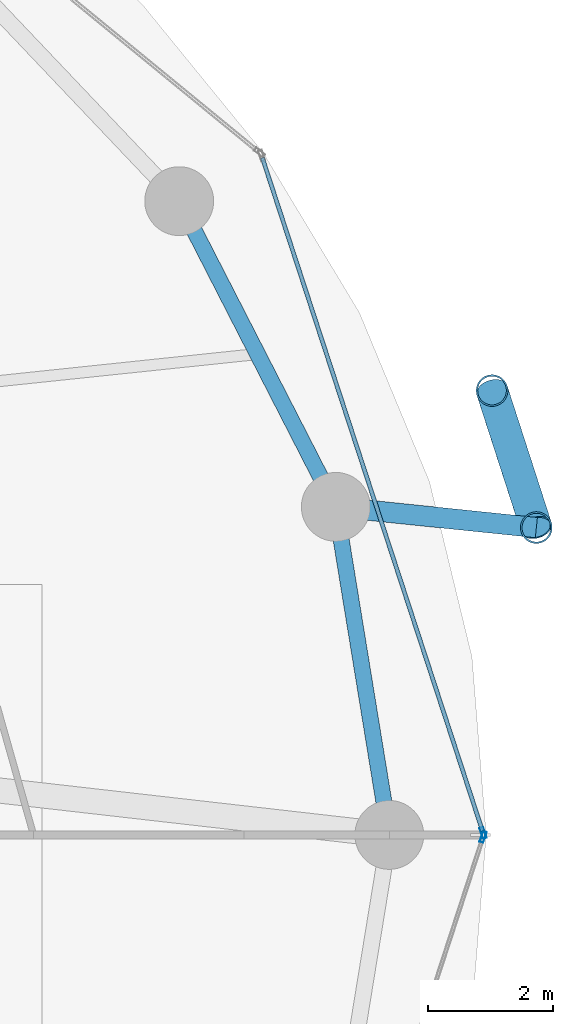
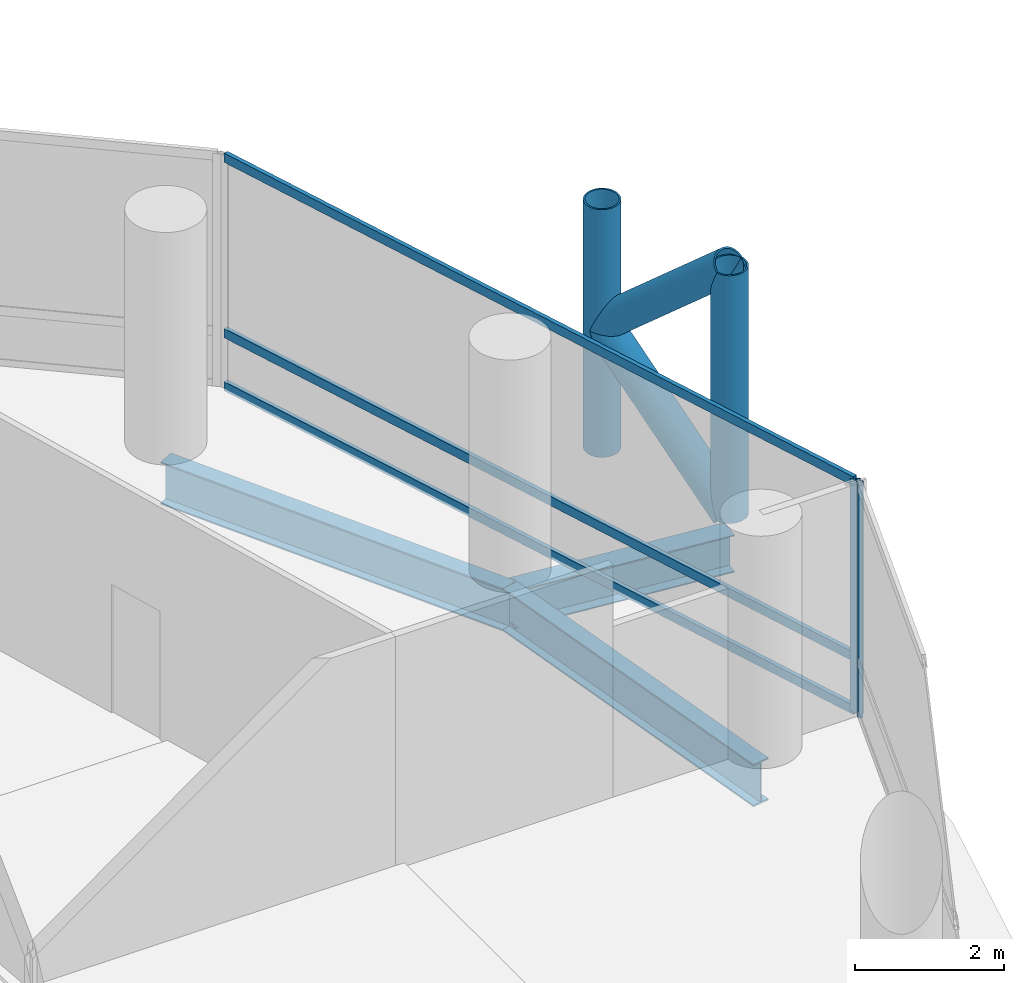
# One storey, part 12 of 26: 9 members, 3 beams, 2 elements without a shape of their own.
"""IFC4 building model written with IfcOpenShell, lengths in metres."""

import ifcopenshell
import ifcopenshell.guid

model = None  # the IFC model being written
_history = None  # IfcOwnerHistory: only IFC2X3 demands one
_inside = {}  # id of a spatial element -> (the spatial element, [elements in it])
_under = {}  # id of a project, library or spatial element -> (it, [spatial elements below it])
_declared = {}  # id of a project -> (the project, [libraries it declares])
_typed = {}  # id of a type object -> (the type object, [elements of that type])
_made_of = {}  # id of a material, layer set ... -> (it, [elements and type objects made of it])


def new_model(schema):
    """Start an empty IFC model of exactly this schema.

    Asked for "IFC4X3", IfcOpenShell would pick the latest addendum, in which some entities
    have other attributes; the version numbers below select the first issue.
    IFC2X3 requires an IfcOwnerHistory on every rooted entity: one is made here for all.
    """
    global model, _history
    if schema == "IFC4X3":
        model = ifcopenshell.file(schema_version=(4, 3, 0, 0))
    else:
        model = ifcopenshell.file(schema=schema)
    _inside.clear()
    _under.clear()
    _declared.clear()
    _typed.clear()
    _made_of.clear()
    _history = None
    if model.schema == "IFC2X3":
        org = make("IfcOrganization", Name="unknown")
        user = make(
            "IfcPersonAndOrganization",
            ThePerson=make("IfcPerson", FamilyName="unknown"),
            TheOrganization=org,
        )
        app = make(
            "IfcApplication",
            ApplicationDeveloper=org,
            Version="unknown",
            ApplicationFullName="unknown",
            ApplicationIdentifier="unknown",
        )
        _history = make(
            "IfcOwnerHistory",
            OwningUser=user,
            OwningApplication=app,
            ChangeAction="ADDED",
            CreationDate=0,
        )
    return model


def make(cls, **values):
    """One entity of the class cls with the attributes given. An attribute that is None is left unset."""
    return model.create_entity(
        cls, **{name: value for name, value in values.items() if value is not None}
    )


def rooted(cls, **values):
    """An entity with a GlobalId (a new one), such as an element, a storey or a relation."""
    return make(cls, GlobalId=ifcopenshell.guid.new(), OwnerHistory=_history, **values)


def si_unit(unit_type, name, prefix=None):
    """IfcSIUnit, for example si_unit("LENGTHUNIT", "METRE", prefix="MILLI")."""
    return make("IfcSIUnit", UnitType=unit_type, Prefix=prefix, Name=name)


def assignment(units):
    """IfcUnitAssignment: the units of a project."""
    return None if units is None else make("IfcUnitAssignment", Units=units)


def point(xyz):
    """IfcCartesianPoint."""
    return None if xyz is None else make("IfcCartesianPoint", Coordinates=xyz)


def direction(xyz):
    """IfcDirection."""
    return None if xyz is None else make("IfcDirection", DirectionRatios=xyz)


def frame(location, z_axis=None, x_axis=None):
    """IfcAxis2Placement3D, a coordinate frame: its origin and axes. An axis left out is left unset."""
    return make(
        "IfcAxis2Placement3D",
        Location=point(location),
        Axis=direction(z_axis),
        RefDirection=direction(x_axis),
    )


def frame_2d(location, x_axis=None):
    """IfcAxis2Placement2D, a coordinate frame in the plane: its origin and x axis."""
    return make(
        "IfcAxis2Placement2D", Location=point(location), RefDirection=direction(x_axis)
    )


def origin():
    """The frame at (0, 0, 0) with its axes left unset."""
    return frame((0.0, 0.0, 0.0))


def origin_2d():
    """The frame at (0, 0) in the plane with its x axis left unset."""
    return frame_2d((0.0, 0.0))


def place(relative_to, where):
    """IfcLocalPlacement: puts the frame where relative to a parent placement (None: the world)."""
    return make(
        "IfcLocalPlacement", PlacementRelTo=relative_to, RelativePlacement=where
    )


def context(
    kind, dimensions, precision=None, world=None, true_north=None, identifier=None
):
    """IfcGeometricRepresentationContext, for example the 3D "Model" context."""
    return make(
        "IfcGeometricRepresentationContext",
        ContextIdentifier=identifier,
        ContextType=kind,
        CoordinateSpaceDimension=dimensions,
        Precision=precision,
        WorldCoordinateSystem=world,
        TrueNorth=true_north,
    )


def subcontext(parent, identifier, kind, view, scale=None):
    """IfcGeometricRepresentationSubContext, for example "Body" below "Model"."""
    return make(
        "IfcGeometricRepresentationSubContext",
        ContextIdentifier=identifier,
        ContextType=kind,
        ParentContext=parent,
        TargetScale=scale,
        TargetView=view,
    )


def project(units=None, contexts=None):
    """IfcProject with its units and contexts."""
    return rooted(
        "IfcProject",
        Name="project",
        RepresentationContexts=contexts,
        UnitsInContext=assignment(units),
    )


def spatial(cls, under=None, at=None, **own):
    """A site, building, storey or space (cls), placed at a placement, below another one or the project."""
    s = rooted(cls, ObjectPlacement=at, **own)
    if under is not None:
        _under.setdefault(under.id(), (under, []))[1].append(s)
    return s


def profile(cls, at=None, kind="AREA", **sizes):
    """A parametric profile (cls). Its sizes go by their IFC names, for example OverallWidth=200.0."""
    return make(cls, ProfileType=kind, Position=at, **sizes)


def hollow_rectangle(**sizes):
    """IfcRectangleHollowProfileDef."""
    return profile("IfcRectangleHollowProfileDef", **sizes)


def hollow_circle(**sizes):
    """IfcCircleHollowProfileDef."""
    return profile("IfcCircleHollowProfileDef", **sizes)


def i_section(**sizes):
    """IfcIShapeProfileDef."""
    return profile("IfcIShapeProfileDef", **sizes)


def extrude(swept, where, along, depth):
    """IfcExtrudedAreaSolid: the profile swept, set in the frame where, extruded along a direction by depth."""
    return make(
        "IfcExtrudedAreaSolid",
        SweptArea=swept,
        Position=where,
        ExtrudedDirection=direction(along),
        Depth=depth,
    )


def shape(context_of_items, identifier, shape_type, items):
    """IfcShapeRepresentation: the items that make up one representation, for example the "Body"."""
    return make(
        "IfcShapeRepresentation",
        ContextOfItems=context_of_items,
        RepresentationIdentifier=identifier,
        RepresentationType=shape_type,
        Items=items,
    )


def material(Name=None, Category=None):
    """IfcMaterial."""
    return make("IfcMaterial", Name=Name, Category=Category)


def layer(
    of_material, thickness, ventilated=None, Name=None, Category=None, Priority=None
):
    """IfcMaterialLayer: one layer of a wall or slab, of a material (None: an air gap)."""
    return make(
        "IfcMaterialLayer",
        Material=of_material,
        LayerThickness=thickness,
        IsVentilated=ventilated,
        Name=Name,
        Category=Category,
        Priority=Priority,
    )


def layer_set(layers, Name=None):
    """IfcMaterialLayerSet."""
    return make("IfcMaterialLayerSet", MaterialLayers=layers, LayerSetName=Name)


def material_profile(
    of_material, cross_section, Name=None, Category=None, Priority=None
):
    """IfcMaterialProfile: a cross section and its material."""
    return make(
        "IfcMaterialProfile",
        Name=Name,
        Material=of_material,
        Profile=cross_section,
        Priority=Priority,
        Category=Category,
    )


def profile_set(profiles, Name=None, composite=None):
    """IfcMaterialProfileSet."""
    return make(
        "IfcMaterialProfileSet",
        Name=Name,
        MaterialProfiles=profiles,
        CompositeProfile=composite,
    )


def made_of(thing, what):
    """Note that an element or type object is made of a material, layer set ...; save() writes the relation."""
    if what is not None:
        _made_of.setdefault(what.id(), (what, []))[1].append(thing)
    return thing


def type_object(cls, material=None, **own):
    """A type object (cls), such as IfcWallType, which elements share."""
    return made_of(rooted(cls, **own), material)


def element(
    cls,
    number,
    at=None,
    inside=None,
    cuts=None,
    type_object=None,
    material=None,
    context=None,
    identifier="Body",
    shape_type=None,
    held_by="IfcProductDefinitionShape",
    body=None,
    shapes=None,
    **own,
):
    """One element of the class cls, such as IfcWall. Its Tag is "e" and its number.

    at: its placement. inside: the storey or other place that contains it. cuts: it is an
    opening in that element (IfcRelVoidsElement). A single representation is given by context,
    identifier, shape_type and body (its items); several are given by shapes. held_by: the class
    of the entity that holds the representations. save() writes the other relations.
    """
    e = rooted(cls, Tag="e%d" % number, ObjectPlacement=at, **own)
    if body is not None:
        shapes = [shape(context, identifier, shape_type, body)]
    if shapes is not None:
        e.Representation = make(held_by, Representations=shapes)
    if inside is not None:
        _inside.setdefault(inside.id(), (inside, []))[1].append(e)
    if cuts is not None:
        rooted(
            "IfcRelVoidsElement", RelatingBuildingElement=cuts, RelatedOpeningElement=e
        )
    if type_object is not None:
        _typed.setdefault(type_object.id(), (type_object, []))[1].append(e)
    return made_of(e, material)


def aggregate(whole, parts):
    """IfcRelAggregates: a whole, such as a stair, and the parts it consists of."""
    return rooted("IfcRelAggregates", RelatingObject=whole, RelatedObjects=parts)


def save(model, path):
    """Write the relations noted so far, then the file.

    IfcRelAggregates (storeys below a building ...), IfcRelContainedInSpatialStructure (elements
    in a storey), IfcRelDefinesByType, IfcRelAssociatesMaterial and IfcRelDeclares: one each for
    every whole, place, type object, material and project.
    """
    for whole, parts in _under.values():
        aggregate(whole, parts)
    for where, things in _inside.values():
        rooted(
            "IfcRelContainedInSpatialStructure",
            RelatedElements=things,
            RelatingStructure=where,
        )
    for kind, things in _typed.values():
        rooted("IfcRelDefinesByType", RelatedObjects=things, RelatingType=kind)
    for what, things in _made_of.values():
        rooted("IfcRelAssociatesMaterial", RelatedObjects=things, RelatingMaterial=what)
    for by, libraries in _declared.values():
        rooted("IfcRelDeclares", RelatingContext=by, RelatedDefinitions=libraries)
    model.write(path)


model = new_model("IFC4")

# Units and contexts
model_context = context("Model", 3, precision=1e-05, world=origin(), true_north=direction((0.0, 1.0)))
body_context = subcontext(model_context, "Body", "Model", "MODEL_VIEW")
ifc_project = project(units=[si_unit("LENGTHUNIT", "METRE"), si_unit("AREAUNIT", "SQUARE_METRE"), si_unit("VOLUMEUNIT", "CUBIC_METRE"), si_unit("PLANEANGLEUNIT", "RADIAN"), si_unit("MASSUNIT", "GRAM", prefix="KILO")], contexts=[model_context])

# Site, building, storey
site_placement = place(None, origin())
site = spatial("IfcSite", under=ifc_project, at=site_placement, CompositionType="ELEMENT")
building_placement = place(site_placement, origin())
building = spatial("IfcBuilding", under=site, at=building_placement, Name="Nuhasar Tower", CompositionType="ELEMENT")
storey_placement = place(building_placement, frame((0.0, 0.0, 53.39990234375)))
storey = spatial("IfcBuildingStorey", under=building, at=storey_placement, Name="L12", CompositionType="ELEMENT", Elevation=53.39990234375)

# Beams
ifc_material_1 = material(Name="Steel S355", Category="steel")
ifc_material_profile_1 = material_profile(ifc_material_1, i_section(OverallWidth=0.256103515625, OverallDepth=0.693115234375, WebThickness=0.014404296875, FlangeThickness=0.023681640625, at=origin_2d()), Name="W27X114")
ifc_profile_set_1 = profile_set([ifc_material_profile_1], Name="Steel S355")
beam_type_1 = type_object("IfcBeamType", Name="BM-RING-W27X114", PredefinedType="SPANDREL", material=ifc_profile_set_1)
beam_1_placement = place(storey_placement, frame((64.050048828125, 26.800048828125, -0.60595703125), z_axis=(-0.160826635486, 0.986982671235, 0.0), x_axis=(-0.986982671235, -0.160826635486, 0.0)))
element("IfcBeam", 1, at=beam_1_placement, inside=storey, type_object=beam_type_1, Name="L12 Perimeter Ring Spandrel 01", PredefinedType="SPANDREL", context=body_context, shape_type="SweptSolid", body=[
    extrude(i_section(OverallWidth=0.256103515625, OverallDepth=0.693115234375, WebThickness=0.014404296875, FlangeThickness=0.023681640625, at=origin_2d()), origin(), (0.0, 0.0, 1.0), 5.31005859375),
])
beam_2_placement = place(storey_placement, frame((63.196044921875, 32.041015625, -0.60595703125), z_axis=(-0.455930023905, 0.890015625314, 0.0), x_axis=(-0.890015625314, -0.455930023905, 0.0)))
element("IfcBeam", 2, at=beam_2_placement, inside=storey, type_object=beam_type_1, Name="L12 Perimeter Ring Spandrel 02", PredefinedType="SPANDREL", context=body_context, shape_type="SweptSolid", body=[
    extrude(i_section(OverallWidth=0.256103515625, OverallDepth=0.693115234375, WebThickness=0.014404296875, FlangeThickness=0.023681640625, at=origin_2d()), origin(), (0.0, 0.0, 1.0), 5.487548828125),
])
ifc_material_profile_2 = material_profile(ifc_material_1, i_section(OverallWidth=0.323974609375, OverallDepth=0.611083984375, WebThickness=0.0126953125, FlangeThickness=0.01904296875, at=origin_2d()), Name="W24X104")
ifc_profile_set_2 = profile_set([ifc_material_profile_2], Name="Steel S355")
beam_type_2 = type_object("IfcBeamType", Name="BM-TIE-W24X104", PredefinedType="BEAM", material=ifc_profile_set_2)
beam_3_placement = place(storey_placement, frame((63.196044921875, 32.041015625, -0.56591796875), z_axis=(0.994703825606, -0.102782777377, 0.0), x_axis=(0.102782777377, 0.994703825606, 0.0)))
element("IfcBeam", 3, at=beam_3_placement, inside=storey, type_object=beam_type_2, Name="L12 Exoskeleton Node Tie Beam 01", PredefinedType="BEAM", context=body_context, shape_type="SweptSolid", body=[
    extrude(i_section(OverallWidth=0.323974609375, OverallDepth=0.611083984375, WebThickness=0.0126953125, FlangeThickness=0.01904296875, at=origin_2d()), origin(), (0.0, 0.0, 1.0), 3.220947265625),
])

# Curtain wall, member
ifc_material_2 = material(Name="Aluminium 6063-T6", Category="aluminium")
ifc_layer = layer(ifc_material_2, 0.199951171875)
ifc_layer_set = layer_set([ifc_layer], Name="Aluminium 6063-T6")
curtain_wall_type = type_object("IfcCurtainWallType", Name="CW-Z1-OFF", PredefinedType="NOTDEFINED", material=ifc_layer_set)
curtain_wall_1_placement = place(storey_placement, origin())
curtain_wall_1 = element("IfcCurtainWall", 4, at=curtain_wall_1_placement, inside=storey, type_object=curtain_wall_type, Name="L12 Unitised Curtain Wall 01", PredefinedType="NOTDEFINED")
ifc_material_profile_3 = material_profile(ifc_material_2, hollow_rectangle(XDim=0.06494140625, YDim=0.179931640625, WallThickness=0.0048828125, at=origin_2d()), Name="CWM-2")
ifc_profile_set_3 = profile_set([ifc_material_profile_3], Name="Aluminium 6063-T6")
member_type_1 = type_object("IfcMemberType", Name="CW-MUL-S2", PredefinedType="MULLION", material=ifc_profile_set_3)
member_1_placement = place(storey_placement, frame((65.5498046875, 26.830810546875, 0.0), z_axis=(0.0, 0.0, 1.0), x_axis=(-0.950467534571, -0.310823849997, 0.0)))
member_1 = element("IfcMember", 5, at=member_1_placement, type_object=member_type_1, Name="CW-Z1 mullion 1", PredefinedType="MULLION", context=body_context, shape_type="SweptSolid", body=[
    extrude(hollow_rectangle(XDim=0.06494140625, YDim=0.179931640625, WallThickness=0.0048828125, at=origin_2d()), origin(), (0.0, 0.0, 1.0), 3.800048828125),
])

curtain_wall_2_placement = place(storey_placement, origin())
curtain_wall_2 = element("IfcCurtainWall", 6, at=curtain_wall_2_placement, inside=storey, type_object=curtain_wall_type, Name="L12 Unitised Curtain Wall 12", PredefinedType="NOTDEFINED")
member_2_placement = place(storey_placement, frame((65.5498046875, 26.76904296875, 0.0), z_axis=(0.0, 0.0, 1.0), x_axis=(-0.950467534571, 0.310823849997, 0.0)))
member_2 = element("IfcMember", 7, at=member_2_placement, type_object=member_type_1, Name="CW-Z1 mullion 2", PredefinedType="MULLION", context=body_context, shape_type="SweptSolid", body=[
    extrude(hollow_rectangle(XDim=0.06494140625, YDim=0.179931640625, WallThickness=0.0048828125, at=origin_2d()), origin(), (0.0, 0.0, 1.0), 3.800048828125),
])
aggregate(curtain_wall_2, [member_2])

# Member
ifc_material_profile_4 = material_profile(ifc_material_2, hollow_rectangle(XDim=0.06494140625, YDim=0.14990234375, WallThickness=0.00439453125, at=origin_2d()), Name="CWT-2")
ifc_profile_set_4 = profile_set([ifc_material_profile_4], Name="Aluminium 6063-T6")
member_type_2 = type_object("IfcMemberType", Name="CW-TRN-S2", PredefinedType="USERDEFINED", material=ifc_profile_set_4)
member_3_placement = place(storey_placement, frame((65.539794921875, 26.86181640625, 0.03271484375), z_axis=(-0.31082506089, 0.950467138581, 0.0), x_axis=(-0.950467138581, -0.31082506089, 0.0)))
member_3 = element("IfcMember", 8, at=member_3_placement, type_object=member_type_2, Name="CW-Z1 transom 1.1", ObjectType="TRANSOM", PredefinedType="USERDEFINED", context=body_context, shape_type="SweptSolid", body=[
    extrude(hollow_rectangle(XDim=0.06494140625, YDim=0.14990234375, WallThickness=0.00439453125, at=origin_2d()), origin(), (0.0, 0.0, 1.0), 11.31689453125),
])

member_4_placement = place(storey_placement, frame((65.539794921875, 26.86181640625, 0.900146484375), z_axis=(-0.31082506089, 0.950467138581, 0.0), x_axis=(-0.950467138581, -0.31082506089, 0.0)))
member_4 = element("IfcMember", 9, at=member_4_placement, type_object=member_type_2, Name="CW-Z1 transom 1.2", ObjectType="TRANSOM", PredefinedType="USERDEFINED", context=body_context, shape_type="SweptSolid", body=[
    extrude(hollow_rectangle(XDim=0.06494140625, YDim=0.14990234375, WallThickness=0.00439453125, at=origin_2d()), origin(), (0.0, 0.0, 1.0), 11.31689453125),
])

member_5_placement = place(storey_placement, frame((65.539794921875, 26.86181640625, 3.767578125), z_axis=(-0.31082506089, 0.950467138581, 0.0), x_axis=(-0.950467138581, -0.31082506089, 0.0)))
member_5 = element("IfcMember", 10, at=member_5_placement, type_object=member_type_2, Name="CW-Z1 transom 1.3", ObjectType="TRANSOM", PredefinedType="USERDEFINED", context=body_context, shape_type="SweptSolid", body=[
    extrude(hollow_rectangle(XDim=0.06494140625, YDim=0.14990234375, WallThickness=0.00439453125, at=origin_2d()), origin(), (0.0, 0.0, 1.0), 11.31689453125),
])

aggregate(curtain_wall_1, [member_1, member_3, member_4, member_5])

# Members
ifc_material_3 = material(Name="Steel S460", Category="steel")
ifc_material_profile_5 = material_profile(ifc_material_3, hollow_circle(Radius=0.25390625, WallThickness=0.025390625, at=origin_2d()), Name="HSS508X25.4")
ifc_profile_set_5 = profile_set([ifc_material_profile_5], Name="Steel S460")
member_type_3 = type_object("IfcMemberType", Name="EXO-BRONZE-508", PredefinedType="BRACE", material=ifc_profile_set_5)
for number, where, z_axis, x_axis, name in (
    (11, (66.39990234375, 31.7099609375, 0.0), (0.0, 0.0, 1.0), (1.0, 0.0, 0.0), "L12 Exoskeleton Chord Column EC-01A"),
    (12, (65.69189453125, 33.89892578125, 0.0), (0.0, 0.0, 1.0), (1.0, 0.0, 0.0), "L12 Exoskeleton Chord Column EC-01B"),
):
    element("IfcMember", number, at=place(storey_placement, frame(where, z_axis=z_axis, x_axis=x_axis)), inside=storey, type_object=member_type_3, Name=name, PredefinedType="BRACE", context=body_context, shape_type="SweptSolid", body=[
        extrude(hollow_circle(Radius=0.25390625, WallThickness=0.025390625, at=origin_2d()), origin(), (0.0, 0.0, 1.0), 4.050048828125),
    ])
member_6_placement = place(storey_placement, frame((66.39990234375, 31.7099609375, 0.0), z_axis=(-0.230999678299, 0.714187281251, 0.660738734997), x_axis=(-0.951468282519, -0.307746823478, 0.0)))
element("IfcMember", 13, at=member_6_placement, inside=storey, type_object=member_type_3, Name="L12 Bronze Diagrid Brace W1-01", PredefinedType="BRACE", context=body_context, shape_type="SweptSolid", body=[
    extrude(hollow_circle(Radius=0.25390625, WallThickness=0.025390625, at=origin_2d()), origin(), (0.0, 0.0, 1.0), 3.06494140625),
])
member_7_placement = place(storey_placement, frame((65.69189453125, 33.89892578125, 2.025146484375), z_axis=(0.231011836313, -0.714224870475, 0.660693851854), x_axis=(0.951468282519, 0.307746823478, 0.0)))
element("IfcMember", 14, at=member_7_placement, inside=storey, type_object=member_type_3, Name="L12 Bronze Diagrid Brace W2-01", PredefinedType="BRACE", context=body_context, shape_type="SweptSolid", body=[
    extrude(hollow_circle(Radius=0.25390625, WallThickness=0.025390625, at=origin_2d()), origin(), (0.0, 0.0, 1.0), 3.064697265625),
])

save(model, "model.ifc")
